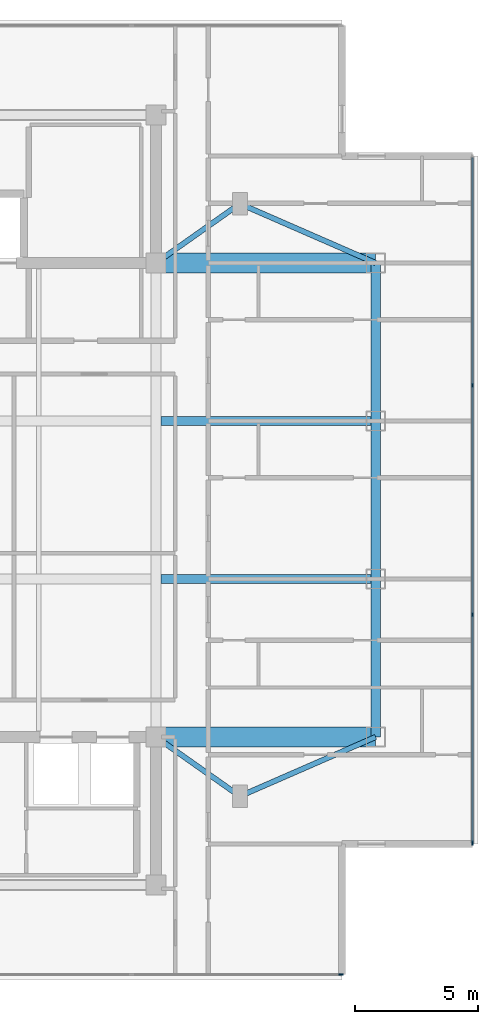
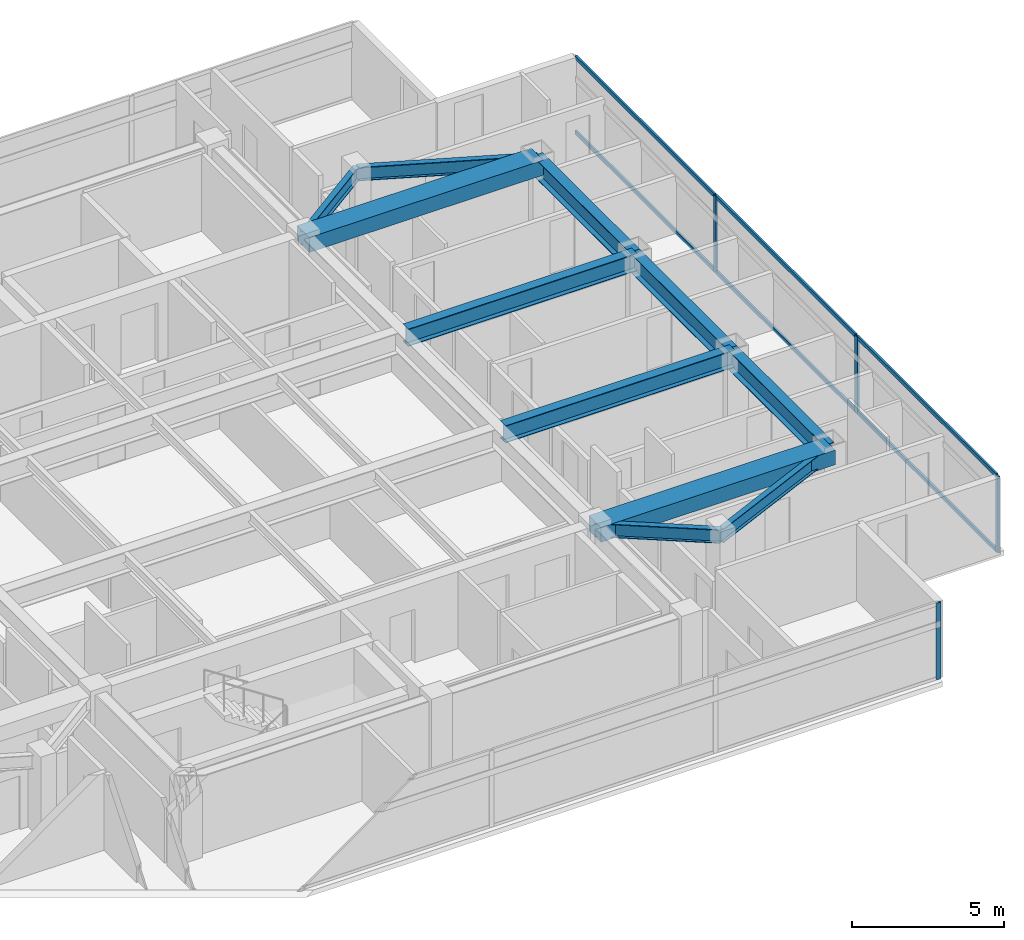
# One storey, part 4 of 14: 11 beams, 10 members, 2 elements without a shape of their own.
"""IFC4 building model written with IfcOpenShell, lengths in metres."""

from ifc_helpers import new_model, si_unit, direction, frame, origin, origin_2d, place, context, subcontext, project, spatial, rectangle, i_section, extrude, material, material_profile, profile_set, type_object, element, aggregate, save


model = new_model("IFC4")

# Units and contexts
model_context = context("Model", 3, precision=1e-05, world=origin(), true_north=direction((0.0, 1.0)))
body_context = subcontext(model_context, "Body", "Model", "MODEL_VIEW")
ifc_project = project(units=[si_unit("LENGTHUNIT", "METRE"), si_unit("AREAUNIT", "SQUARE_METRE"), si_unit("VOLUMEUNIT", "CUBIC_METRE"), si_unit("PLANEANGLEUNIT", "RADIAN"), si_unit("MASSUNIT", "GRAM", prefix="KILO")], contexts=[model_context])

# Site, building, storey
site_placement = place(None, origin())
site = spatial("IfcSite", under=ifc_project, at=site_placement, CompositionType="ELEMENT")
building_placement = place(site_placement, origin())
building = spatial("IfcBuilding", under=site, at=building_placement, Name="Mirazonda Arch Towers", CompositionType="ELEMENT")
storey_placement = place(building_placement, frame((0.0, 0.0, 245.800048828125)))
storey = spatial("IfcBuildingStorey", under=building, at=storey_placement, Name="L70", CompositionType="ELEMENT", Elevation=245.800048828125)

# Beams
ifc_material_1 = material(Name="Steel ASTM A992 Grade 50", Category="steel")
ifc_material_profile_1 = material_profile(ifc_material_1, i_section(OverallWidth=0.381103515625, OverallDepth=0.77294921875, WebThickness=0.0166015625, FlangeThickness=0.027099609375, at=origin_2d()), Name="W30X173")
ifc_profile_set_1 = profile_set([ifc_material_profile_1], Name="Steel ASTM A992 Grade 50")
beam_type_1 = type_object("IfcBeamType", Name="BM-EXT-W30X173", PredefinedType="USERDEFINED", material=ifc_profile_set_1)
beam_1_placement = place(storey_placement, frame((38.89990234375, 18.39990234375, 2.71337890625), z_axis=(0.0, 1.0, 0.0), x_axis=(-1.0, 0.0, 0.0)))
element("IfcBeam", 1, at=beam_1_placement, inside=storey, type_object=beam_type_1, Name="L70 Floor Beam BM-T1-L70-NS-E-18", ObjectType="GIRDER", PredefinedType="USERDEFINED", context=body_context, shape_type="SweptSolid", body=[
    extrude(i_section(OverallWidth=0.381103515625, OverallDepth=0.77294921875, WebThickness=0.0166015625, FlangeThickness=0.027099609375, at=origin_2d()), origin(), (0.0, 0.0, 1.0), 6.400146484375),
])
beam_2_placement = place(storey_placement, frame((38.89990234375, 24.800048828125, 2.71337890625), z_axis=(0.0, 1.0, 0.0), x_axis=(-1.0, 0.0, 0.0)))
element("IfcBeam", 2, at=beam_2_placement, inside=storey, type_object=beam_type_1, Name="L70 Floor Beam BM-T1-L70-NS-E-24", ObjectType="GIRDER", PredefinedType="USERDEFINED", context=body_context, shape_type="SweptSolid", body=[
    extrude(i_section(OverallWidth=0.381103515625, OverallDepth=0.77294921875, WebThickness=0.0166015625, FlangeThickness=0.027099609375, at=origin_2d()), origin(), (0.0, 0.0, 1.0), 6.39990234375),
])
beam_3_placement = place(storey_placement, frame((38.89990234375, 31.199951171875, 2.71337890625), z_axis=(0.0, 1.0, 0.0), x_axis=(-1.0, 0.0, 0.0)))
element("IfcBeam", 3, at=beam_3_placement, inside=storey, type_object=beam_type_1, Name="L70 Floor Beam BM-T1-L70-NS-E-31", ObjectType="GIRDER", PredefinedType="USERDEFINED", context=body_context, shape_type="SweptSolid", body=[
    extrude(i_section(OverallWidth=0.381103515625, OverallDepth=0.77294921875, WebThickness=0.0166015625, FlangeThickness=0.027099609375, at=origin_2d()), origin(), (0.0, 0.0, 1.0), 6.400146484375),
])
ifc_material_profile_2 = material_profile(ifc_material_1, i_section(OverallWidth=0.214111328125, OverallDepth=0.549072265625, WebThickness=0.0146484375, FlangeThickness=0.023681640625, at=origin_2d()), Name="W21X93")
ifc_profile_set_2 = profile_set([ifc_material_profile_2], Name="Steel ASTM A992 Grade 50")
beam_type_2 = type_object("IfcBeamType", Name="BM-INT-W21X93", PredefinedType="BEAM", material=ifc_profile_set_2)
beam_4_placement = place(storey_placement, frame((33.39990234375, 16.0, 2.825439453125), z_axis=(-0.816971114901, 0.576678591087, 0.0), x_axis=(-0.576678591087, -0.816971114901, 0.0)))
element("IfcBeam", 4, at=beam_4_placement, inside=storey, type_object=beam_type_2, Name="L70 Floor Beam BM-T1-L70-PL-SE1", PredefinedType="BEAM", context=body_context, shape_type="SweptSolid", body=[
    extrude(i_section(OverallWidth=0.214111328125, OverallDepth=0.549072265625, WebThickness=0.0146484375, FlangeThickness=0.023681640625, at=origin_2d()), origin(), (0.0, 0.0, 1.0), 4.16162109375),
])
beam_5_placement = place(storey_placement, frame((33.39990234375, 16.0, 2.825439453125), z_axis=(0.916545343703, 0.399930785183, 0.0), x_axis=(-0.399930785183, 0.916545343703, 0.0)))
element("IfcBeam", 5, at=beam_5_placement, inside=storey, type_object=beam_type_2, Name="L70 Floor Beam BM-T1-L70-PL-SE2", PredefinedType="BEAM", context=body_context, shape_type="SweptSolid", body=[
    extrude(i_section(OverallWidth=0.214111328125, OverallDepth=0.549072265625, WebThickness=0.0146484375, FlangeThickness=0.023681640625, at=origin_2d()), origin(), (0.0, 0.0, 1.0), 6.000732421875),
])
beam_6_placement = place(storey_placement, frame((33.39990234375, 40.0, 2.825439453125), z_axis=(-0.816971114901, -0.576678591087, 0.0), x_axis=(0.576678591087, -0.816971114901, 0.0)))
element("IfcBeam", 6, at=beam_6_placement, inside=storey, type_object=beam_type_2, Name="L70 Floor Beam BM-T1-L70-PL-NE1", PredefinedType="BEAM", context=body_context, shape_type="SweptSolid", body=[
    extrude(i_section(OverallWidth=0.214111328125, OverallDepth=0.549072265625, WebThickness=0.0146484375, FlangeThickness=0.023681640625, at=origin_2d()), origin(), (0.0, 0.0, 1.0), 4.16162109375),
])
beam_7_placement = place(storey_placement, frame((33.39990234375, 40.0, 2.825439453125), z_axis=(0.916545343703, -0.399930785183, 0.0), x_axis=(0.399930785183, 0.916545343703, 0.0)))
element("IfcBeam", 7, at=beam_7_placement, inside=storey, type_object=beam_type_2, Name="L70 Floor Beam BM-T1-L70-PL-NE2", PredefinedType="BEAM", context=body_context, shape_type="SweptSolid", body=[
    extrude(i_section(OverallWidth=0.214111328125, OverallDepth=0.549072265625, WebThickness=0.0146484375, FlangeThickness=0.023681640625, at=origin_2d()), origin(), (0.0, 0.0, 1.0), 6.000732421875),
])
ifc_material_profile_3 = material_profile(ifc_material_1, i_section(OverallWidth=0.35498046875, OverallDepth=0.696044921875, WebThickness=0.015380859375, FlangeThickness=0.02490234375, at=origin_2d()), Name="W27X146")
ifc_profile_set_3 = profile_set([ifc_material_profile_3], Name="Steel ASTM A992 Grade 50")
beam_type_3 = type_object("IfcBeamType", Name="BM-INT-W27X146", PredefinedType="BEAM", material=ifc_profile_set_3)
for number, where, z_axis, x_axis, name in (
    (8, (30.199951171875, 24.800048828125, 2.751953125), (1.0, 0.0, 0.0), (0.0, 1.0, 0.0), "L70 Floor Beam BM-T1-L70-GE2"),
    (9, (30.199951171875, 31.199951171875, 2.751953125), (1.0, 0.0, 0.0), (0.0, 1.0, 0.0), "L70 Floor Beam BM-T1-L70-GE3"),
):
    element("IfcBeam", number, at=place(storey_placement, frame(where, z_axis=z_axis, x_axis=x_axis)), inside=storey, type_object=beam_type_3, Name=name, PredefinedType="BEAM", context=body_context, shape_type="SweptSolid", body=[
        extrude(i_section(OverallWidth=0.35498046875, OverallDepth=0.696044921875, WebThickness=0.015380859375, FlangeThickness=0.02490234375, at=origin_2d()), origin(), (0.0, 0.0, 1.0), 8.699951171875),
    ])
ifc_material_2 = material(Name="Concrete C60/75", Category="concrete")
ifc_material_profile_4 = material_profile(ifc_material_2, rectangle(XDim=0.800048828125, YDim=0.60009765625, at=origin_2d()), Name="RCCB800x600")
ifc_profile_set_4 = profile_set([ifc_material_profile_4], Name="Concrete C60/75")
beam_type_4 = type_object("IfcBeamType", Name="CB-INT-RCCB800x600", PredefinedType="SPANDREL", material=ifc_profile_set_4)
for number, where, z_axis, x_axis, name in (
    (10, (30.0, 37.60009765625, 2.800048828125), (1.0, 0.0, 0.0), (0.0, 1.0, 0.0), "L70 Floor Beam CBC-T1-L70-NE"),
    (11, (30.0, 18.39990234375, 2.800048828125), (1.0, 0.0, 0.0), (0.0, 1.0, 0.0), "L70 Floor Beam CBC-T1-L70-SE"),
):
    element("IfcBeam", number, at=place(storey_placement, frame(where, z_axis=z_axis, x_axis=x_axis)), inside=storey, type_object=beam_type_4, Name=name, PredefinedType="SPANDREL", context=body_context, shape_type="SweptSolid", body=[
        extrude(rectangle(XDim=0.800048828125, YDim=0.60009765625, at=origin_2d()), origin(), (0.0, 0.0, 1.0), 8.89990234375),
    ])

# Curtain wall, member
ifc_material_3 = material(Name="Anodised Aluminium and Low-E Glass", Category="aluminium")
curtain_wall_type = type_object("IfcCurtainWallType", Name="CW-RES-UNIT", PredefinedType="NOTDEFINED", material=ifc_material_3)
curtain_wall_1_placement = place(storey_placement, origin())
curtain_wall_1 = element("IfcCurtainWall", 12, at=curtain_wall_1_placement, inside=storey, type_object=curtain_wall_type, Name="L70 T1 S Facade CW-L70-T1-S", PredefinedType="NOTDEFINED")
ifc_material_4 = material(Name="Anodised Aluminium Alloy", Category="aluminium")
ifc_material_profile_5 = material_profile(ifc_material_4, rectangle(XDim=0.074951171875, YDim=0.175048828125, at=origin_2d()), Name="ALU-MULL-75x175")
ifc_profile_set_5 = profile_set([ifc_material_profile_5], Name="Anodised Aluminium Alloy")
member_type_1 = type_object("IfcMemberType", Name="MULL-CW-RES-UNIT", PredefinedType="MULLION", material=ifc_profile_set_5)
member_1_placement = place(storey_placement, frame((37.492431640625, 8.77587890625, 0.0), z_axis=(0.0, 0.0, 1.0), x_axis=(0.0, -1.0, 0.0)))
member_1 = element("IfcMember", 13, at=member_1_placement, type_object=member_type_1, Name="CW-104 mullion 1", PredefinedType="MULLION", context=body_context, shape_type="SweptSolid", body=[
    extrude(rectangle(XDim=0.074951171875, YDim=0.175048828125, at=origin_2d()), origin(), (0.0, 0.0, 1.0), 3.079833984375),
])
aggregate(curtain_wall_1, [member_1])

# Curtain wall, members
curtain_wall_2_placement = place(storey_placement, origin())
curtain_wall_2 = element("IfcCurtainWall", 14, at=curtain_wall_2_placement, inside=storey, type_object=curtain_wall_type, Name="L70 T1 E Facade CW-L70-T1-E", PredefinedType="NOTDEFINED")
member_2_placement = place(storey_placement, frame((42.820068359375, 14.103515625, 0.0), z_axis=(0.0, 0.0, 1.0), x_axis=(-1.0, 0.0, 0.0)))
member_2 = element("IfcMember", 15, at=member_2_placement, type_object=member_type_1, Name="CW-104 mullion 1", PredefinedType="MULLION", context=body_context, shape_type="SweptSolid", body=[
    extrude(rectangle(XDim=0.074951171875, YDim=0.175048828125, at=origin_2d()), origin(), (0.0, 0.0, 1.0), 3.079833984375),
])
member_3_placement = place(storey_placement, frame((42.820068359375, 23.355224609375, 0.0), z_axis=(0.0, 0.0, 1.0), x_axis=(-1.0, 0.0, 0.0)))
member_3 = element("IfcMember", 16, at=member_3_placement, type_object=member_type_1, Name="CW-104 mullion 2", PredefinedType="MULLION", context=body_context, shape_type="SweptSolid", body=[
    extrude(rectangle(XDim=0.074951171875, YDim=0.175048828125, at=origin_2d()), origin(), (0.0, 0.0, 1.0), 3.079833984375),
])
member_4_placement = place(storey_placement, frame((42.820068359375, 32.644775390625, 0.0), z_axis=(0.0, 0.0, 1.0), x_axis=(-1.0, 0.0, 0.0)))
member_4 = element("IfcMember", 17, at=member_4_placement, type_object=member_type_1, Name="CW-104 mullion 3", PredefinedType="MULLION", context=body_context, shape_type="SweptSolid", body=[
    extrude(rectangle(XDim=0.074951171875, YDim=0.175048828125, at=origin_2d()), origin(), (0.0, 0.0, 1.0), 3.079833984375),
])
ifc_material_profile_6 = material_profile(ifc_material_4, rectangle(XDim=0.074951171875, YDim=0.155029296875, at=origin_2d()), Name="ALU-TRAN-75x155")
ifc_profile_set_6 = profile_set([ifc_material_profile_6], Name="Anodised Aluminium Alloy")
member_type_2 = type_object("IfcMemberType", Name="TRAN-CW-RES-UNIT", PredefinedType="USERDEFINED", material=ifc_profile_set_6)
member_5_placement = place(storey_placement, frame((42.820068359375, 14.14111328125, 0.037353515625), z_axis=(0.0, 1.0, 0.0), x_axis=(-1.0, 0.0, 0.0)))
member_5 = element("IfcMember", 18, at=member_5_placement, type_object=member_type_2, Name="CW-104 transom 1.1", ObjectType="TRANSOM", PredefinedType="USERDEFINED", context=body_context, shape_type="SweptSolid", body=[
    extrude(rectangle(XDim=0.074951171875, YDim=0.155029296875, at=origin_2d()), origin(), (0.0, 0.0, 1.0), 9.1767578125),
])
member_6_placement = place(storey_placement, frame((42.820068359375, 14.14111328125, 3.04248046875), z_axis=(0.0, 1.0, 0.0), x_axis=(-1.0, 0.0, 0.0)))
member_6 = element("IfcMember", 19, at=member_6_placement, type_object=member_type_2, Name="CW-104 transom 1.2", ObjectType="TRANSOM", PredefinedType="USERDEFINED", context=body_context, shape_type="SweptSolid", body=[
    extrude(rectangle(XDim=0.074951171875, YDim=0.155029296875, at=origin_2d()), origin(), (0.0, 0.0, 1.0), 9.1767578125),
])
member_7_placement = place(storey_placement, frame((42.820068359375, 23.392822265625, 0.037353515625), z_axis=(0.0, 1.0, 0.0), x_axis=(-1.0, 0.0, 0.0)))
member_7 = element("IfcMember", 20, at=member_7_placement, type_object=member_type_2, Name="CW-104 transom 2.1", ObjectType="TRANSOM", PredefinedType="USERDEFINED", context=body_context, shape_type="SweptSolid", body=[
    extrude(rectangle(XDim=0.074951171875, YDim=0.155029296875, at=origin_2d()), origin(), (0.0, 0.0, 1.0), 9.21435546875),
])
member_8_placement = place(storey_placement, frame((42.820068359375, 23.392822265625, 3.04248046875), z_axis=(0.0, 1.0, 0.0), x_axis=(-1.0, 0.0, 0.0)))
member_8 = element("IfcMember", 21, at=member_8_placement, type_object=member_type_2, Name="CW-104 transom 2.2", ObjectType="TRANSOM", PredefinedType="USERDEFINED", context=body_context, shape_type="SweptSolid", body=[
    extrude(rectangle(XDim=0.074951171875, YDim=0.155029296875, at=origin_2d()), origin(), (0.0, 0.0, 1.0), 9.21435546875),
])
member_9_placement = place(storey_placement, frame((42.820068359375, 32.68212890625, 0.037353515625), z_axis=(0.0, 1.0, 0.0), x_axis=(-1.0, 0.0, 0.0)))
member_9 = element("IfcMember", 22, at=member_9_placement, type_object=member_type_2, Name="CW-104 transom 3.1", ObjectType="TRANSOM", PredefinedType="USERDEFINED", context=body_context, shape_type="SweptSolid", body=[
    extrude(rectangle(XDim=0.074951171875, YDim=0.155029296875, at=origin_2d()), origin(), (0.0, 0.0, 1.0), 9.1767578125),
])
member_10_placement = place(storey_placement, frame((42.820068359375, 32.68212890625, 3.04248046875), z_axis=(0.0, 1.0, 0.0), x_axis=(-1.0, 0.0, 0.0)))
member_10 = element("IfcMember", 23, at=member_10_placement, type_object=member_type_2, Name="CW-104 transom 3.2", ObjectType="TRANSOM", PredefinedType="USERDEFINED", context=body_context, shape_type="SweptSolid", body=[
    extrude(rectangle(XDim=0.074951171875, YDim=0.155029296875, at=origin_2d()), origin(), (0.0, 0.0, 1.0), 9.1767578125),
])
aggregate(curtain_wall_2, [member_2, member_3, member_4, member_5, member_6, member_7, member_8, member_9, member_10])

save(model, "model.ifc")
